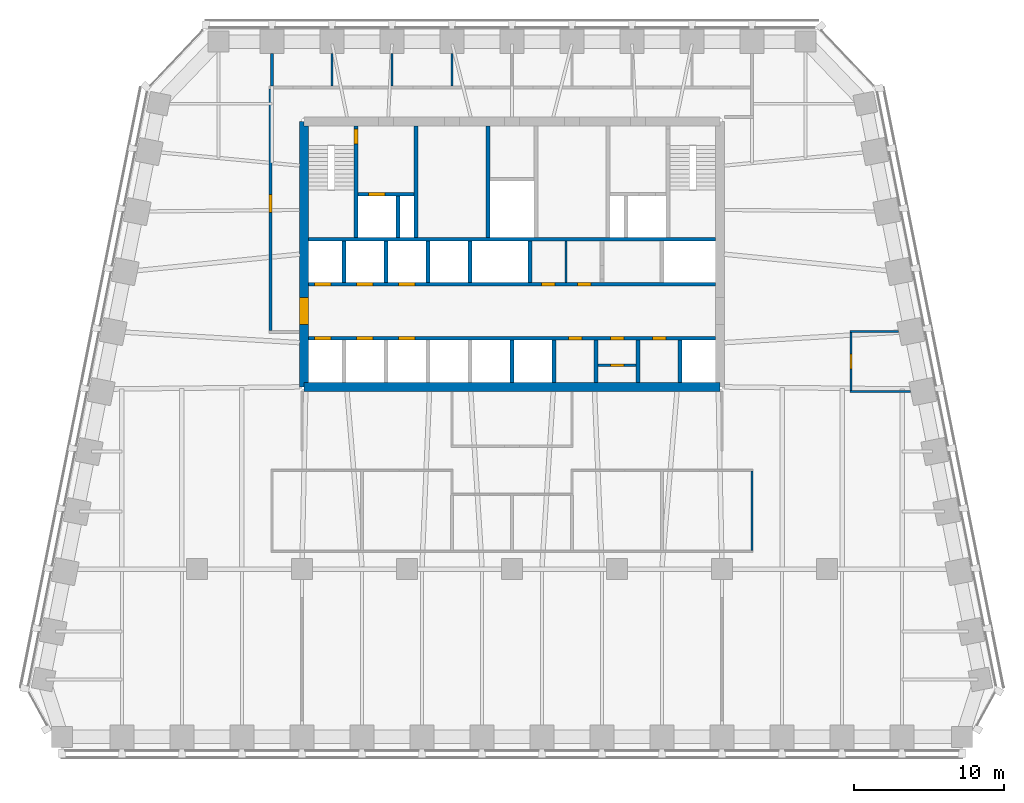
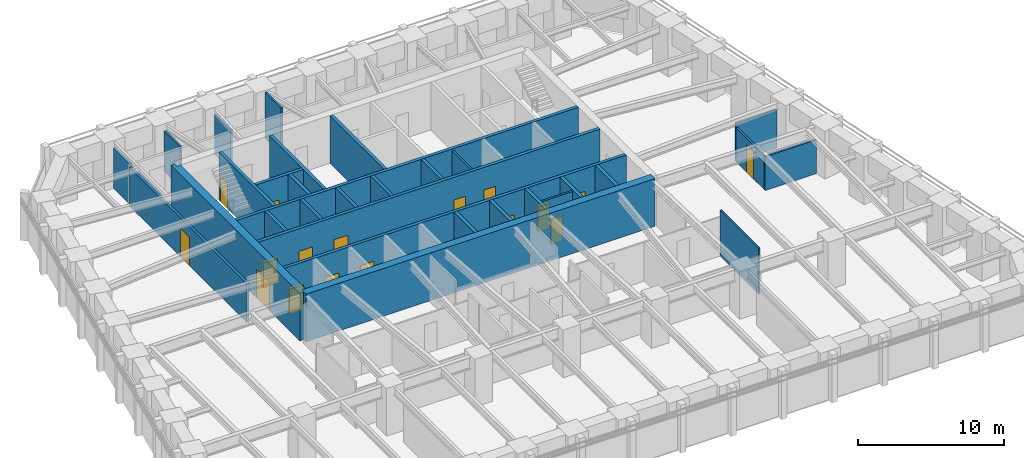
# One storey, part 6 of 10: 31 walls, 17 doors, 17 openings.
"""IFC4 building model written with IfcOpenShell, lengths in metres."""

from ifc_helpers import new_model, si_unit, direction, frame, frame_2d, origin, place, context, subcontext, project, spatial, polyline, rectangle, outline, extrude, material, layer, layer_set, type_object, element, fill, save


model = new_model("IFC4")

# Units and contexts
model_context = context("Model", 3, precision=1e-05, world=origin(), true_north=direction((0.0, 1.0)))
body_context = subcontext(model_context, "Body", "Model", "MODEL_VIEW")
ifc_project = project(units=[si_unit("LENGTHUNIT", "METRE"), si_unit("AREAUNIT", "SQUARE_METRE"), si_unit("VOLUMEUNIT", "CUBIC_METRE"), si_unit("PLANEANGLEUNIT", "RADIAN"), si_unit("MASSUNIT", "GRAM", prefix="KILO")], contexts=[model_context])

# Site, building, storey
site_placement = place(None, origin())
site = spatial("IfcSite", under=ifc_project, at=site_placement, CompositionType="ELEMENT")
building_placement = place(site_placement, origin())
building = spatial("IfcBuilding", under=site, at=building_placement, Name="Isbrekke Arena Tower", CompositionType="ELEMENT")
storey_placement = place(building_placement, frame((0.0, 0.0, 186.0)))
storey = spatial("IfcBuildingStorey", under=building, at=storey_placement, Name="L42", CompositionType="ELEMENT", Elevation=186.0)

# Wall
ifc_material_1 = material(Name="Concrete B55 (C55/67)", Category="concrete")
ifc_layer_1 = layer(ifc_material_1, 0.60009765625)
ifc_layer_set_1 = layer_set([ifc_layer_1], Name="CW4 CORE WALL 600")
wall_type_1 = type_object("IfcWallType", Name="CW4 CORE WALL 600", PredefinedType="SHEAR", material=ifc_layer_set_1)
wall_1_placement = place(storey_placement, frame((-13.85009765625, 6.14990234375, 0.0), z_axis=(0.0, 0.0, 1.0), x_axis=(1.0, 0.0, 0.0)))
element("IfcWall", 1, at=wall_1_placement, inside=storey, type_object=wall_type_1, Name="Core wall S L42", PredefinedType="SHEAR", context=body_context, shape_type="SweptSolid", body=[
    extrude(rectangle(XDim=27.7001953125, YDim=0.60009765625, at=frame_2d((13.85009765625, 0.0))), origin(), (0.0, 0.0, 1.0), 4.0),
])

# Wall, opening, door
wall_2_placement = place(storey_placement, frame((-13.85009765625, 23.85009765625, 0.0), z_axis=(0.0, 0.0, 1.0), x_axis=(0.0, -1.0, 0.0)))
wall_2 = element("IfcWall", 2, at=wall_2_placement, inside=storey, type_object=wall_type_1, Name="Core wall W L42", PredefinedType="SHEAR", context=body_context, shape_type="SweptSolid", body=[
    extrude(outline(polyline([(0.0, -0.300048828125), (17.7001953125, -0.300048828125), (17.7001953125, 0.0), (17.400146484375, 0.0), (17.400146484375, 0.300048828125), (0.300048828125, 0.300048828125), (0.300048828125, 0.0), (0.0, 0.0), (0.0, -0.300048828125)])), origin(), (0.0, 0.0, 1.0), 4.0),
])
opening_1_placement = place(wall_2_placement, frame((11.75, 0.0, 0.0)))
opening_1 = element("IfcOpeningElement", 3, at=opening_1_placement, cuts=wall_2, Name="Opening D1", PredefinedType="OPENING", context=body_context, shape_type="SweptSolid", body=[
    extrude(rectangle(XDim=1.800048828125, YDim=2.39990234375, at=frame_2d((0.89990234375, 1.199951171875))), frame((0.0, 0.31494140625, 0.0), z_axis=(0.0, -1.0, 0.0), x_axis=(1.0, 0.0, 0.0)), (0.0, 0.0, 1.0), 0.6298828125),
])
ifc_material_2 = material(Name="Steel-framed glazed fire door", Category="steel")
door_type_1 = type_object("IfcDoorType", Name="D1 CORE LOBBY DOOR 1800 x 2400", OperationType="DOUBLE_DOOR_SINGLE_SWING", PredefinedType="DOOR", material=ifc_material_2)
door_1_placement = place(opening_1_placement, origin())
door_1 = element("IfcDoor", 4, at=door_1_placement, inside=storey, type_object=door_type_1, Name="D1 lift lobby door west L42", OperationType="DOUBLE_DOOR_SINGLE_SWING", OverallHeight=2.39990234375, OverallWidth=1.800048828125, PredefinedType="DOOR", context=body_context, shape_type="SweptSolid", body=[
    extrude(rectangle(XDim=1.800048828125, YDim=2.39990234375, at=frame_2d((0.89990234375, 1.199951171875))), frame((0.0, 0.2998046875, 0.0), z_axis=(0.0, -1.0, 0.0), x_axis=(1.0, 0.0, 0.0)), (0.0, 0.0, 1.0), 0.599609375),
])
fill(opening_1, door_1)

# Wall, openings, doors
ifc_material_3 = material(Name="Concrete B45 (C45/55)", Category="concrete")
ifc_layer_2 = layer(ifc_material_3, 0.25)
ifc_layer_set_2 = layer_set([ifc_layer_2], Name="CW6 SHAFT WALL 250")
wall_type_2 = type_object("IfcWallType", Name="CW6 SHAFT WALL 250", PredefinedType="SHEAR", material=ifc_layer_set_2)
wall_3_placement = place(storey_placement, frame((-13.550048828125, 9.39990234375, 0.0), z_axis=(0.0, 0.0, 1.0), x_axis=(1.0, 0.0, 0.0)))
wall_3 = element("IfcWall", 5, at=wall_3_placement, inside=storey, type_object=wall_type_2, Name="Core wall LS L42", PredefinedType="SHEAR", context=body_context, shape_type="SweptSolid", body=[
    extrude(rectangle(XDim=27.10009765625, YDim=0.25, at=frame_2d((13.550048828125, 0.0))), origin(), (0.0, 0.0, 1.0), 4.0),
])
opening_2_placement = place(wall_3_placement, frame((0.39990234375, 0.0, 0.0)))
opening_2 = element("IfcOpeningElement", 6, at=opening_2_placement, cuts=wall_3, Name="Opening LD1", PredefinedType="OPENING", context=body_context, shape_type="SweptSolid", body=[
    extrude(rectangle(XDim=1.10009765625, YDim=2.10009765625, at=frame_2d((0.550048828125, 1.050048828125))), frame((0.0, 0.139892578125, 0.0), z_axis=(0.0, -1.0, 0.0), x_axis=(1.0, 0.0, 0.0)), (0.0, 0.0, 1.0), 0.27978515625),
])
opening_3_placement = place(wall_3_placement, frame((3.199951171875, 0.0, 0.0)))
opening_3 = element("IfcOpeningElement", 7, at=opening_3_placement, cuts=wall_3, Name="Opening LD1", PredefinedType="OPENING", context=body_context, shape_type="SweptSolid", body=[
    extrude(rectangle(XDim=1.10009765625, YDim=2.10009765625, at=frame_2d((0.550048828125, 1.050048828125))), frame((0.0, 0.139892578125, 0.0), z_axis=(0.0, -1.0, 0.0), x_axis=(1.0, 0.0, 0.0)), (0.0, 0.0, 1.0), 0.27978515625),
])
opening_4_placement = place(wall_3_placement, frame((6.0, 0.0, 0.0)))
opening_4 = element("IfcOpeningElement", 8, at=opening_4_placement, cuts=wall_3, Name="Opening LD1", PredefinedType="OPENING", context=body_context, shape_type="SweptSolid", body=[
    extrude(rectangle(XDim=1.10009765625, YDim=2.10009765625, at=frame_2d((0.550048828125, 1.050048828125))), frame((0.0, 0.139892578125, 0.0), z_axis=(0.0, -1.0, 0.0), x_axis=(1.0, 0.0, 0.0)), (0.0, 0.0, 1.0), 0.27978515625),
])
opening_5_placement = place(wall_3_placement, frame((17.300048828125, 0.0, 0.0)))
opening_5 = element("IfcOpeningElement", 9, at=opening_5_placement, cuts=wall_3, Name="Opening D5", PredefinedType="OPENING", context=body_context, shape_type="SweptSolid", body=[
    extrude(rectangle(XDim=0.89990234375, YDim=2.10009765625, at=frame_2d((0.449951171875, 1.050048828125))), frame((0.0, 0.139892578125, 0.0), z_axis=(0.0, -1.0, 0.0), x_axis=(1.0, 0.0, 0.0)), (0.0, 0.0, 1.0), 0.27978515625),
])
opening_6_placement = place(wall_3_placement, frame((20.10009765625, 0.0, 0.0)))
opening_6 = element("IfcOpeningElement", 10, at=opening_6_placement, cuts=wall_3, Name="Opening D5", PredefinedType="OPENING", context=body_context, shape_type="SweptSolid", body=[
    extrude(rectangle(XDim=0.89990234375, YDim=2.10009765625, at=frame_2d((0.449951171875, 1.050048828125))), frame((0.0, 0.139892578125, 0.0), z_axis=(0.0, -1.0, 0.0), x_axis=(1.0, 0.0, 0.0)), (0.0, 0.0, 1.0), 0.27978515625),
])
opening_7_placement = place(wall_3_placement, frame((22.89990234375, 0.0, 0.0)))
opening_7 = element("IfcOpeningElement", 11, at=opening_7_placement, cuts=wall_3, Name="Opening D5", PredefinedType="OPENING", context=body_context, shape_type="SweptSolid", body=[
    extrude(rectangle(XDim=0.89990234375, YDim=2.10009765625, at=frame_2d((0.449951171875, 1.050048828125))), frame((0.0, 0.139892578125, 0.0), z_axis=(0.0, -1.0, 0.0), x_axis=(1.0, 0.0, 0.0)), (0.0, 0.0, 1.0), 0.27978515625),
])
ifc_material_4 = material(Name="Steel fire door", Category="steel")
door_type_2 = type_object("IfcDoorType", Name="D5 SERVICE DOOR 900 x 2100", OperationType="SINGLE_SWING_LEFT", PredefinedType="DOOR", material=ifc_material_4)
door_2_placement = place(opening_5_placement, origin())
door_2 = element("IfcDoor", 12, at=door_2_placement, inside=storey, type_object=door_type_2, Name="D5 technical room door L42", OperationType="SINGLE_SWING_LEFT", OverallHeight=2.10009765625, OverallWidth=0.89990234375, PredefinedType="DOOR", context=body_context, shape_type="SweptSolid", body=[
    extrude(rectangle(XDim=0.89990234375, YDim=2.10009765625, at=frame_2d((0.449951171875, 1.050048828125))), frame((0.0, 0.124755859375, 0.0), z_axis=(0.0, -1.0, 0.0), x_axis=(1.0, 0.0, 0.0)), (0.0, 0.0, 1.0), 0.24951171875),
])
fill(opening_5, door_2)
door_3_placement = place(opening_6_placement, origin())
door_3 = element("IfcDoor", 13, at=door_3_placement, inside=storey, type_object=door_type_2, Name="D5 print room door L42", OperationType="SINGLE_SWING_LEFT", OverallHeight=2.10009765625, OverallWidth=0.89990234375, PredefinedType="DOOR", context=body_context, shape_type="SweptSolid", body=[
    extrude(rectangle(XDim=0.89990234375, YDim=2.10009765625, at=frame_2d((0.449951171875, 1.050048828125))), frame((0.0, 0.124755859375, 0.0), z_axis=(0.0, -1.0, 0.0), x_axis=(1.0, 0.0, 0.0)), (0.0, 0.0, 1.0), 0.24951171875),
])
fill(opening_6, door_3)
door_4_placement = place(opening_7_placement, origin())
door_4 = element("IfcDoor", 14, at=door_4_placement, inside=storey, type_object=door_type_2, Name="D5 archive door L42", OperationType="SINGLE_SWING_LEFT", OverallHeight=2.10009765625, OverallWidth=0.89990234375, PredefinedType="DOOR", context=body_context, shape_type="SweptSolid", body=[
    extrude(rectangle(XDim=0.89990234375, YDim=2.10009765625, at=frame_2d((0.449951171875, 1.050048828125))), frame((0.0, 0.124755859375, 0.0), z_axis=(0.0, -1.0, 0.0), x_axis=(1.0, 0.0, 0.0)), (0.0, 0.0, 1.0), 0.24951171875),
])
fill(opening_7, door_4)
ifc_material_5 = material(Name="Stainless steel lift landing door", Category="steel")
door_type_3 = type_object("IfcDoorType", Name="LD1 LIFT LANDING DOOR 1100 x 2100", OperationType="SLIDING_TO_LEFT", PredefinedType="DOOR", material=ifc_material_5)
door_5_placement = place(opening_2_placement, origin())
door_5 = element("IfcDoor", 15, at=door_5_placement, inside=storey, type_object=door_type_3, Name="LD1 lift landing door LC L42", OperationType="SLIDING_TO_LEFT", OverallHeight=2.10009765625, OverallWidth=1.10009765625, PredefinedType="DOOR", context=body_context, shape_type="SweptSolid", body=[
    extrude(rectangle(XDim=1.10009765625, YDim=2.10009765625, at=frame_2d((0.550048828125, 1.050048828125))), frame((0.0, 0.124755859375, 0.0), z_axis=(0.0, -1.0, 0.0), x_axis=(1.0, 0.0, 0.0)), (0.0, 0.0, 1.0), 0.24951171875),
])
fill(opening_2, door_5)
door_6_placement = place(opening_3_placement, origin())
door_6 = element("IfcDoor", 16, at=door_6_placement, inside=storey, type_object=door_type_3, Name="LD1 lift landing door LC L42", OperationType="SLIDING_TO_LEFT", OverallHeight=2.10009765625, OverallWidth=1.10009765625, PredefinedType="DOOR", context=body_context, shape_type="SweptSolid", body=[
    extrude(rectangle(XDim=1.10009765625, YDim=2.10009765625, at=frame_2d((0.550048828125, 1.050048828125))), frame((0.0, 0.124755859375, 0.0), z_axis=(0.0, -1.0, 0.0), x_axis=(1.0, 0.0, 0.0)), (0.0, 0.0, 1.0), 0.24951171875),
])
fill(opening_3, door_6)
door_7_placement = place(opening_4_placement, origin())
door_7 = element("IfcDoor", 17, at=door_7_placement, inside=storey, type_object=door_type_3, Name="LD1 lift landing door LC L42", OperationType="SLIDING_TO_LEFT", OverallHeight=2.10009765625, OverallWidth=1.10009765625, PredefinedType="DOOR", context=body_context, shape_type="SweptSolid", body=[
    extrude(rectangle(XDim=1.10009765625, YDim=2.10009765625, at=frame_2d((0.550048828125, 1.050048828125))), frame((0.0, 0.124755859375, 0.0), z_axis=(0.0, -1.0, 0.0), x_axis=(1.0, 0.0, 0.0)), (0.0, 0.0, 1.0), 0.24951171875),
])
fill(opening_4, door_7)

wall_4_placement = place(storey_placement, frame((-13.550048828125, 13.0, 0.0), z_axis=(0.0, 0.0, 1.0), x_axis=(1.0, 0.0, 0.0)))
wall_4 = element("IfcWall", 18, at=wall_4_placement, inside=storey, type_object=wall_type_2, Name="Core wall LN L42", PredefinedType="SHEAR", context=body_context, shape_type="SweptSolid", body=[
    extrude(rectangle(XDim=27.10009765625, YDim=0.25, at=frame_2d((13.550048828125, 0.0))), origin(), (0.0, 0.0, 1.0), 4.0),
])
opening_8_placement = place(wall_4_placement, frame((0.39990234375, 0.0, 0.0)))
opening_8 = element("IfcOpeningElement", 19, at=opening_8_placement, cuts=wall_4, Name="Opening LD1", PredefinedType="OPENING", context=body_context, shape_type="SweptSolid", body=[
    extrude(rectangle(XDim=1.10009765625, YDim=2.10009765625, at=frame_2d((0.550048828125, 1.050048828125))), frame((0.0, 0.139892578125, 0.0), z_axis=(0.0, -1.0, 0.0), x_axis=(1.0, 0.0, 0.0)), (0.0, 0.0, 1.0), 0.27978515625),
])
opening_9_placement = place(wall_4_placement, frame((3.199951171875, 0.0, 0.0)))
opening_9 = element("IfcOpeningElement", 20, at=opening_9_placement, cuts=wall_4, Name="Opening LD1", PredefinedType="OPENING", context=body_context, shape_type="SweptSolid", body=[
    extrude(rectangle(XDim=1.10009765625, YDim=2.10009765625, at=frame_2d((0.550048828125, 1.050048828125))), frame((0.0, 0.139892578125, 0.0), z_axis=(0.0, -1.0, 0.0), x_axis=(1.0, 0.0, 0.0)), (0.0, 0.0, 1.0), 0.27978515625),
])
opening_10_placement = place(wall_4_placement, frame((6.0, 0.0, 0.0)))
opening_10 = element("IfcOpeningElement", 21, at=opening_10_placement, cuts=wall_4, Name="Opening LD1", PredefinedType="OPENING", context=body_context, shape_type="SweptSolid", body=[
    extrude(rectangle(XDim=1.10009765625, YDim=2.10009765625, at=frame_2d((0.550048828125, 1.050048828125))), frame((0.0, 0.139892578125, 0.0), z_axis=(0.0, -1.0, 0.0), x_axis=(1.0, 0.0, 0.0)), (0.0, 0.0, 1.0), 0.27978515625),
])
opening_11_placement = place(wall_4_placement, frame((15.5, 0.0, 0.0)))
opening_11 = element("IfcOpeningElement", 22, at=opening_11_placement, cuts=wall_4, Name="Opening D5", PredefinedType="OPENING", context=body_context, shape_type="SweptSolid", body=[
    extrude(rectangle(XDim=0.89990234375, YDim=2.10009765625, at=frame_2d((0.449951171875, 1.050048828125))), frame((0.0, 0.139892578125, 0.0), z_axis=(0.0, -1.0, 0.0), x_axis=(1.0, 0.0, 0.0)), (0.0, 0.0, 1.0), 0.27978515625),
])
opening_12_placement = place(wall_4_placement, frame((17.89990234375, 0.0, 0.0)))
opening_12 = element("IfcOpeningElement", 23, at=opening_12_placement, cuts=wall_4, Name="Opening D5", PredefinedType="OPENING", context=body_context, shape_type="SweptSolid", body=[
    extrude(rectangle(XDim=0.89990234375, YDim=2.10009765625, at=frame_2d((0.449951171875, 1.050048828125))), frame((0.0, 0.139892578125, 0.0), z_axis=(0.0, -1.0, 0.0), x_axis=(1.0, 0.0, 0.0)), (0.0, 0.0, 1.0), 0.27978515625),
])
door_8_placement = place(opening_11_placement, origin())
door_8 = element("IfcDoor", 24, at=door_8_placement, inside=storey, type_object=door_type_2, Name="D5 communications room door L42", OperationType="SINGLE_SWING_LEFT", OverallHeight=2.10009765625, OverallWidth=0.89990234375, PredefinedType="DOOR", context=body_context, shape_type="SweptSolid", body=[
    extrude(rectangle(XDim=0.89990234375, YDim=2.10009765625, at=frame_2d((0.449951171875, 1.050048828125))), frame((0.0, 0.124755859375, 0.0), z_axis=(0.0, -1.0, 0.0), x_axis=(1.0, 0.0, 0.0)), (0.0, 0.0, 1.0), 0.24951171875),
])
fill(opening_11, door_8)
door_9_placement = place(opening_12_placement, origin())
door_9 = element("IfcDoor", 25, at=door_9_placement, inside=storey, type_object=door_type_2, Name="D5 cleaner's store door L42", OperationType="SINGLE_SWING_LEFT", OverallHeight=2.10009765625, OverallWidth=0.89990234375, PredefinedType="DOOR", context=body_context, shape_type="SweptSolid", body=[
    extrude(rectangle(XDim=0.89990234375, YDim=2.10009765625, at=frame_2d((0.449951171875, 1.050048828125))), frame((0.0, 0.124755859375, 0.0), z_axis=(0.0, -1.0, 0.0), x_axis=(1.0, 0.0, 0.0)), (0.0, 0.0, 1.0), 0.24951171875),
])
fill(opening_12, door_9)
door_10_placement = place(opening_8_placement, origin())
door_10 = element("IfcDoor", 26, at=door_10_placement, inside=storey, type_object=door_type_3, Name="LD1 lift landing door LC L42", OperationType="SLIDING_TO_LEFT", OverallHeight=2.10009765625, OverallWidth=1.10009765625, PredefinedType="DOOR", context=body_context, shape_type="SweptSolid", body=[
    extrude(rectangle(XDim=1.10009765625, YDim=2.10009765625, at=frame_2d((0.550048828125, 1.050048828125))), frame((0.0, 0.124755859375, 0.0), z_axis=(0.0, -1.0, 0.0), x_axis=(1.0, 0.0, 0.0)), (0.0, 0.0, 1.0), 0.24951171875),
])
fill(opening_8, door_10)
door_11_placement = place(opening_9_placement, origin())
door_11 = element("IfcDoor", 27, at=door_11_placement, inside=storey, type_object=door_type_3, Name="LD1 lift landing door LC L42", OperationType="SLIDING_TO_LEFT", OverallHeight=2.10009765625, OverallWidth=1.10009765625, PredefinedType="DOOR", context=body_context, shape_type="SweptSolid", body=[
    extrude(rectangle(XDim=1.10009765625, YDim=2.10009765625, at=frame_2d((0.550048828125, 1.050048828125))), frame((0.0, 0.124755859375, 0.0), z_axis=(0.0, -1.0, 0.0), x_axis=(1.0, 0.0, 0.0)), (0.0, 0.0, 1.0), 0.24951171875),
])
fill(opening_9, door_11)
door_12_placement = place(opening_10_placement, origin())
door_12 = element("IfcDoor", 28, at=door_12_placement, inside=storey, type_object=door_type_3, Name="LD1 lift landing door LC L42", OperationType="SLIDING_TO_LEFT", OverallHeight=2.10009765625, OverallWidth=1.10009765625, PredefinedType="DOOR", context=body_context, shape_type="SweptSolid", body=[
    extrude(rectangle(XDim=1.10009765625, YDim=2.10009765625, at=frame_2d((0.550048828125, 1.050048828125))), frame((0.0, 0.124755859375, 0.0), z_axis=(0.0, -1.0, 0.0), x_axis=(1.0, 0.0, 0.0)), (0.0, 0.0, 1.0), 0.24951171875),
])
fill(opening_10, door_12)

# Walls
wall_5_placement = place(storey_placement, frame((-13.550048828125, 16.0, 0.0), z_axis=(0.0, 0.0, 1.0), x_axis=(1.0, 0.0, 0.0)))
element("IfcWall", 29, at=wall_5_placement, inside=storey, type_object=wall_type_2, Name="Core wall NB L42", PredefinedType="SHEAR", context=body_context, shape_type="SweptSolid", body=[
    extrude(rectangle(XDim=27.10009765625, YDim=0.25, at=frame_2d((13.550048828125, 0.0))), origin(), (0.0, 0.0, 1.0), 4.0),
])
for number, where, z_axis, x_axis, name in (
    (30, (0.0, 6.449951171875, 0.0), (0.0, 0.0, 1.0), (0.0, 1.0, 0.0), "Core wall SS05 L42"),
    (31, (2.800048828125, 6.449951171875, 0.0), (0.0, 0.0, 1.0), (0.0, 1.0, 0.0), "Core wall SS06 L42"),
    (32, (5.60009765625, 6.449951171875, 0.0), (0.0, 0.0, 1.0), (0.0, 1.0, 0.0), "Core wall SS07 L42"),
    (33, (8.39990234375, 6.449951171875, 0.0), (0.0, 0.0, 1.0), (0.0, 1.0, 0.0), "Core wall SS08 L42"),
    (34, (11.199951171875, 6.449951171875, 0.0), (0.0, 0.0, 1.0), (0.0, 1.0, 0.0), "Core wall SS09 L42"),
):
    element("IfcWall", number, at=place(storey_placement, frame(where, z_axis=z_axis, x_axis=x_axis)), inside=storey, type_object=wall_type_2, Name=name, PredefinedType="SHEAR", context=body_context, shape_type="SweptSolid", body=[
        extrude(rectangle(XDim=2.824951171875, YDim=0.25, at=frame_2d((1.41259765625, 0.0))), origin(), (0.0, 0.0, 1.0), 4.0),
    ])
for number, where, z_axis, x_axis, name in (
    (35, (-11.199951171875, 13.125, 0.0), (0.0, 0.0, 1.0), (0.0, 1.0, 0.0), "Core wall SN01 L42"),
    (36, (-8.39990234375, 13.125, 0.0), (0.0, 0.0, 1.0), (0.0, 1.0, 0.0), "Core wall SN02 L42"),
    (37, (-5.60009765625, 13.125, 0.0), (0.0, 0.0, 1.0), (0.0, 1.0, 0.0), "Core wall SN03 L42"),
    (38, (-2.800048828125, 13.125, 0.0), (0.0, 0.0, 1.0), (0.0, 1.0, 0.0), "Core wall SN04 L42"),
    (39, (1.199951171875, 13.125, 0.0), (0.0, 0.0, 1.0), (0.0, 1.0, 0.0), "Core wall SN05 L42"),
):
    element("IfcWall", number, at=place(storey_placement, frame(where, z_axis=z_axis, x_axis=x_axis)), inside=storey, type_object=wall_type_2, Name=name, PredefinedType="SHEAR", context=body_context, shape_type="SweptSolid", body=[
        extrude(rectangle(XDim=2.75, YDim=0.25, at=frame_2d((1.375, 0.0))), origin(), (0.0, 0.0, 1.0), 4.0),
    ])

# Wall, opening, door
wall_6_placement = place(storey_placement, frame((-10.39990234375, 16.125, 0.0), z_axis=(0.0, 0.0, 1.0), x_axis=(0.0, 1.0, 0.0)))
wall_6 = element("IfcWall", 40, at=wall_6_placement, inside=storey, type_object=wall_type_2, Name="Core wall NV01 L42", PredefinedType="SHEAR", context=body_context, shape_type="SweptSolid", body=[
    extrude(rectangle(XDim=7.425048828125, YDim=0.25, at=frame_2d((3.71240234375, 0.0))), origin(), (0.0, 0.0, 1.0), 4.0),
])
opening_13_placement = place(wall_6_placement, frame((6.22509765625, 0.0, 0.0)))
opening_13 = element("IfcOpeningElement", 41, at=opening_13_placement, cuts=wall_6, Name="Opening D2", PredefinedType="OPENING", context=body_context, shape_type="SweptSolid", body=[
    extrude(rectangle(XDim=1.0, YDim=2.10009765625, at=frame_2d((0.5, 1.050048828125))), frame((0.0, 0.139892578125, 0.0), z_axis=(0.0, -1.0, 0.0), x_axis=(1.0, 0.0, 0.0)), (0.0, 0.0, 1.0), 0.27978515625),
])
ifc_material_6 = material(Name="Steel fire door", Category="steel")
door_type_4 = type_object("IfcDoorType", Name="D2 STAIR DOOR 1000 x 2100", OperationType="SINGLE_SWING_LEFT", PredefinedType="DOOR", material=ifc_material_6)
door_13_placement = place(opening_13_placement, origin())
door_13 = element("IfcDoor", 42, at=door_13_placement, inside=storey, type_object=door_type_4, Name="D2 stair door ST1 L42", OperationType="SINGLE_SWING_LEFT", OverallHeight=2.10009765625, OverallWidth=1.0, PredefinedType="DOOR", context=body_context, shape_type="SweptSolid", body=[
    extrude(rectangle(XDim=1.0, YDim=2.10009765625, at=frame_2d((0.5, 1.050048828125))), frame((0.0, 0.124755859375, 0.0), z_axis=(0.0, -1.0, 0.0), x_axis=(1.0, 0.0, 0.0)), (0.0, 0.0, 1.0), 0.24951171875),
])
fill(opening_13, door_13)

# Walls
for number, where, z_axis, x_axis, name in (
    (43, (-6.39990234375, 16.125, 0.0), (0.0, 0.0, 1.0), (0.0, 1.0, 0.0), "Core wall NV02 L42"),
    (44, (-1.60009765625, 16.125, 0.0), (0.0, 0.0, 1.0), (0.0, 1.0, 0.0), "Core wall NV03 L42"),
):
    element("IfcWall", number, at=place(storey_placement, frame(where, z_axis=z_axis, x_axis=x_axis)), inside=storey, type_object=wall_type_2, Name=name, PredefinedType="SHEAR", context=body_context, shape_type="SweptSolid", body=[
        extrude(rectangle(XDim=7.425048828125, YDim=0.25, at=frame_2d((3.71240234375, 0.0))), origin(), (0.0, 0.0, 1.0), 4.0),
    ])

# Wall, opening, door
wall_7_placement = place(storey_placement, frame((-10.27490234375, 19.0, 0.0), z_axis=(0.0, 0.0, 1.0), x_axis=(1.0, 0.0, 0.0)))
wall_7 = element("IfcWall", 45, at=wall_7_placement, inside=storey, type_object=wall_type_2, Name="Core wall NFW L42", PredefinedType="SHEAR", context=body_context, shape_type="SweptSolid", body=[
    extrude(rectangle(XDim=3.75, YDim=0.25, at=frame_2d((1.875, 0.0))), origin(), (0.0, 0.0, 1.0), 4.0),
])
opening_14_placement = place(wall_7_placement, frame((0.72509765625, 0.0, 0.0)))
opening_14 = element("IfcOpeningElement", 46, at=opening_14_placement, cuts=wall_7, Name="Opening LD2", PredefinedType="OPENING", context=body_context, shape_type="SweptSolid", body=[
    extrude(rectangle(XDim=1.10009765625, YDim=2.10009765625, at=frame_2d((0.550048828125, 1.050048828125))), frame((0.0, 0.139892578125, 0.0), z_axis=(0.0, -1.0, 0.0), x_axis=(1.0, 0.0, 0.0)), (0.0, 0.0, 1.0), 0.27978515625),
])
ifc_material_7 = material(Name="Stainless steel lift landing door", Category="steel")
door_type_5 = type_object("IfcDoorType", Name="LD2 FIRE-FIGHTING LIFT LANDING DOOR 1100 x 2100", OperationType="SLIDING_TO_RIGHT", PredefinedType="DOOR", material=ifc_material_7)
door_14_placement = place(opening_14_placement, origin())
door_14 = element("IfcDoor", 47, at=door_14_placement, inside=storey, type_object=door_type_5, Name="LD2 lift landing door LF L42", OperationType="SLIDING_TO_RIGHT", OverallHeight=2.10009765625, OverallWidth=1.10009765625, PredefinedType="DOOR", context=body_context, shape_type="SweptSolid", body=[
    extrude(rectangle(XDim=1.10009765625, YDim=2.10009765625, at=frame_2d((0.550048828125, 1.050048828125))), frame((0.0, 0.124755859375, 0.0), z_axis=(0.0, -1.0, 0.0), x_axis=(1.0, 0.0, 0.0)), (0.0, 0.0, 1.0), 0.24951171875),
])
fill(opening_14, door_14)

# Walls
wall_8_placement = place(storey_placement, frame((-7.60009765625, 16.125, 0.0), z_axis=(0.0, 0.0, 1.0), x_axis=(0.0, 1.0, 0.0)))
element("IfcWall", 48, at=wall_8_placement, inside=storey, type_object=wall_type_2, Name="Core wall NFS1 L42", PredefinedType="SHEAR", context=body_context, shape_type="SweptSolid", body=[
    extrude(rectangle(XDim=2.75, YDim=0.25, at=frame_2d((1.375, 0.0))), origin(), (0.0, 0.0, 1.0), 4.0),
])
ifc_material_8 = material(Name="Gypsum board partition on steel studs", Category="steel")
ifc_layer_3 = layer(ifc_material_8, 0.14990234375)
ifc_layer_set_3 = layer_set([ifc_layer_3], Name="IW1 PARTITION 150")
wall_type_3 = type_object("IfcWallType", Name="IW1 PARTITION 150", PredefinedType="PARTITIONING", material=ifc_layer_set_3)
wall_9_placement = place(storey_placement, frame((22.52490234375, 5.840087890625, 0.0), z_axis=(0.0, 0.0, 1.0), x_axis=(1.0, 0.0, 0.0)))
element("IfcWall", 49, at=wall_9_placement, inside=storey, type_object=wall_type_3, Name="IW1 partition 150 L42", PredefinedType="PARTITIONING", context=body_context, shape_type="SweptSolid", body=[
    extrude(rectangle(XDim=4.0498046875, YDim=0.14990234375, at=frame_2d((2.02490234375, 0.0))), origin(), (0.0, 0.0, 1.0), 2.842041015625),
])
wall_10_placement = place(storey_placement, frame((22.52490234375, 9.840087890625, 0.0), z_axis=(0.0, 0.0, 1.0), x_axis=(1.0, 0.0, 0.0)))
element("IfcWall", 50, at=wall_10_placement, inside=storey, type_object=wall_type_3, Name="IW1 partition 150 L42", PredefinedType="PARTITIONING", context=body_context, shape_type="SweptSolid", body=[
    extrude(rectangle(XDim=3.25, YDim=0.14990234375, at=frame_2d((1.625, 0.0))), origin(), (0.0, 0.0, 1.0), 3.25),
])
for number, where, z_axis, x_axis, name in (
    (51, (-12.0, 26.199951171875, 0.0), (0.0, 0.0, 1.0), (0.0, 1.0, 0.0), "IW1 partition 150 L42"),
    (52, (-8.0, 26.199951171875, 0.0), (0.0, 0.0, 1.0), (0.0, 1.0, 0.0), "IW1 partition 150 L42"),
):
    element("IfcWall", number, at=place(storey_placement, frame(where, z_axis=z_axis, x_axis=x_axis)), inside=storey, type_object=wall_type_3, Name=name, PredefinedType="PARTITIONING", context=body_context, shape_type="SweptSolid", body=[
        extrude(rectangle(XDim=2.175048828125, YDim=0.14990234375, at=frame_2d((1.08740234375, 0.0))), origin(), (0.0, 0.0, 1.0), 3.39990234375),
    ])
wall_11_placement = place(storey_placement, frame((-4.0, 26.199951171875, 0.0), z_axis=(0.0, 0.0, 1.0), x_axis=(0.0, 1.0, 0.0)))
element("IfcWall", 53, at=wall_11_placement, inside=storey, type_object=wall_type_3, Name="IW1 partition 150 L42", PredefinedType="PARTITIONING", context=body_context, shape_type="SweptSolid", body=[
    extrude(rectangle(XDim=2.175048828125, YDim=0.14990234375, at=frame_2d((1.08740234375, 0.0))), origin(), (0.0, 0.0, 1.0), 3.85009765625),
])

# Wall, opening, door
wall_12_placement = place(storey_placement, frame((22.60009765625, 5.9150390625, 0.0), z_axis=(0.0, 0.0, 1.0), x_axis=(0.0, 1.0, 0.0)))
wall_12 = element("IfcWall", 54, at=wall_12_placement, inside=storey, type_object=wall_type_3, Name="IW1 partition 150 L42", PredefinedType="PARTITIONING", context=body_context, shape_type="SweptSolid", body=[
    extrude(rectangle(XDim=3.849853515625, YDim=0.14990234375, at=frame_2d((1.9248046875, 0.0))), origin(), (0.0, 0.0, 1.0), 2.842041015625),
])
opening_15_placement = place(wall_12_placement, frame((1.425048828125, 0.0, 0.0)))
opening_15 = element("IfcOpeningElement", 55, at=opening_15_placement, cuts=wall_12, Name="Opening D10", PredefinedType="OPENING", context=body_context, shape_type="SweptSolid", body=[
    extrude(rectangle(XDim=1.0, YDim=2.300048828125, at=frame_2d((0.5, 1.14990234375))), frame((0.0, 0.08984375, 0.0), z_axis=(0.0, -1.0, 0.0), x_axis=(1.0, 0.0, 0.0)), (0.0, 0.0, 1.0), 0.1796875),
])
ifc_material_9 = material(Name="Timber door", Category="wood")
door_type_6 = type_object("IfcDoorType", Name="D10 OFFICE DOOR 1000 x 2300", OperationType="SINGLE_SWING_LEFT", PredefinedType="DOOR", material=ifc_material_9)
door_15_placement = place(opening_15_placement, origin())
door_15 = element("IfcDoor", 56, at=door_15_placement, inside=storey, type_object=door_type_6, Name="D10 pantry door L42", OperationType="SINGLE_SWING_LEFT", OverallHeight=2.300048828125, OverallWidth=1.0, PredefinedType="DOOR", context=body_context, shape_type="SweptSolid", body=[
    extrude(rectangle(XDim=1.0, YDim=2.300048828125, at=frame_2d((0.5, 1.14990234375))), frame((0.0, 0.07470703125, 0.0), z_axis=(0.0, -1.0, 0.0), x_axis=(1.0, 0.0, 0.0)), (0.0, 0.0, 1.0), 0.1494140625),
])
fill(opening_15, door_15)

# Wall
ifc_material_10 = material(Name="Frameless glazed partition, laminated acoustic glass", Category="glass")
ifc_layer_4 = layer(ifc_material_10, 0.1201171875)
ifc_layer_set_4 = layer_set([ifc_layer_4], Name="IW2 GLAZED PARTITION 120")
wall_type_4 = type_object("IfcWallType", Name="IW2 GLAZED PARTITION 120", PredefinedType="PARTITIONING", material=ifc_layer_set_4)
wall_13_placement = place(storey_placement, frame((16.0, -4.739990234375, 0.0), z_axis=(0.0, 0.0, 1.0), x_axis=(0.0, 1.0, 0.0)))
element("IfcWall", 57, at=wall_13_placement, inside=storey, type_object=wall_type_4, Name="IW2 glazed partition 120 L42", PredefinedType="PARTITIONING", context=body_context, shape_type="SweptSolid", body=[
    extrude(rectangle(XDim=5.280029296875, YDim=0.1201171875, at=frame_2d((2.64013671875, 0.0))), origin(), (0.0, 0.0, 1.0), 3.85009765625),
])

# Wall, opening, door
ifc_material_11 = material(Name="Gypsum board fire-cell wall on steel studs, two layers each side", Category="steel")
ifc_layer_5 = layer(ifc_material_11, 0.199951171875)
ifc_layer_set_5 = layer_set([ifc_layer_5], Name="IW3 FIRE-CELL WALL 200")
wall_type_5 = type_object("IfcWallType", Name="IW3 FIRE-CELL WALL 200", PredefinedType="PARTITIONING", material=ifc_layer_set_5)
wall_14_placement = place(storey_placement, frame((-16.10009765625, 9.89990234375, 0.0), z_axis=(0.0, 0.0, 1.0), x_axis=(0.0, 1.0, 0.0)))
wall_14 = element("IfcWall", 58, at=wall_14_placement, inside=storey, type_object=wall_type_5, Name="IW3 fire-cell wall 200 L42", PredefinedType="PARTITIONING", context=body_context, shape_type="SweptSolid", body=[
    extrude(rectangle(XDim=16.10009765625, YDim=0.199951171875, at=frame_2d((8.050048828125, 0.0))), origin(), (0.0, 0.0, 1.0), 3.25),
])
opening_16_placement = place(wall_14_placement, frame((7.8798828125, 0.0, 0.0)))
opening_16 = element("IfcOpeningElement", 59, at=opening_16_placement, cuts=wall_14, Name="Opening D12", PredefinedType="OPENING", context=body_context, shape_type="SweptSolid", body=[
    extrude(rectangle(XDim=1.199951171875, YDim=2.39990234375, at=frame_2d((0.60009765625, 1.199951171875))), frame((0.0, 0.11474609375, 0.0), z_axis=(0.0, -1.0, 0.0), x_axis=(1.0, 0.0, 0.0)), (0.0, 0.0, 1.0), 0.229736328125),
])
ifc_material_12 = material(Name="Timber fire door with vision panel", Category="wood")
door_type_7 = type_object("IfcDoorType", Name="D12 SUITE ENTRANCE DOOR 1200 x 2400", OperationType="SINGLE_SWING_LEFT", PredefinedType="DOOR", material=ifc_material_12)
door_16_placement = place(opening_16_placement, origin())
door_16 = element("IfcDoor", 60, at=door_16_placement, inside=storey, type_object=door_type_7, Name="D12 suite entrance A door L42", OperationType="SINGLE_SWING_LEFT", OverallHeight=2.39990234375, OverallWidth=1.199951171875, PredefinedType="DOOR", context=body_context, shape_type="SweptSolid", body=[
    extrude(rectangle(XDim=1.199951171875, YDim=2.39990234375, at=frame_2d((0.60009765625, 1.199951171875))), frame((0.0, 0.099609375, 0.0), z_axis=(0.0, -1.0, 0.0), x_axis=(1.0, 0.0, 0.0)), (0.0, 0.0, 1.0), 0.199462890625),
])
fill(opening_16, door_16)

# Walls
wall_15_placement = place(storey_placement, frame((-16.0, 26.199951171875, 0.0), z_axis=(0.0, 0.0, 1.0), x_axis=(0.0, 1.0, 0.0)))
element("IfcWall", 61, at=wall_15_placement, inside=storey, type_object=wall_type_5, Name="IW3 fire-cell wall 200 L42", PredefinedType="PARTITIONING", context=body_context, shape_type="SweptSolid", body=[
    extrude(rectangle(XDim=2.175048828125, YDim=0.199951171875, at=frame_2d((1.08740234375, 0.0))), origin(), (0.0, 0.0, 1.0), 3.39990234375),
])
ifc_material_13 = material(Name="Gypsum board fire-rated partition on steel studs, two layers each side", Category="steel")
ifc_layer_6 = layer(ifc_material_13, 0.14990234375)
ifc_layer_set_6 = layer_set([ifc_layer_6], Name="IW5 FIRE-RATED PARTITION 150")
wall_type_6 = type_object("IfcWallType", Name="IW5 FIRE-RATED PARTITION 150", PredefinedType="PARTITIONING", material=ifc_layer_set_6)
wall_16_placement = place(storey_placement, frame((3.60009765625, 13.125, 0.0), z_axis=(0.0, 0.0, 1.0), x_axis=(0.0, 1.0, 0.0)))
element("IfcWall", 62, at=wall_16_placement, inside=storey, type_object=wall_type_6, Name="IW5 fire-rated partition L42 core service rooms 1", PredefinedType="PARTITIONING", context=body_context, shape_type="SweptSolid", body=[
    extrude(rectangle(XDim=2.75, YDim=0.14990234375, at=frame_2d((1.375, 0.0))), origin(), (0.0, 0.0, 1.0), 3.85009765625),
])

# Wall, opening, door
wall_17_placement = place(storey_placement, frame((5.72509765625, 7.60009765625, 0.0), z_axis=(0.0, 0.0, 1.0), x_axis=(1.0, 0.0, 0.0)))
wall_17 = element("IfcWall", 63, at=wall_17_placement, inside=storey, type_object=wall_type_6, Name="IW5 fire-rated partition L42 core service rooms 2", PredefinedType="PARTITIONING", context=body_context, shape_type="SweptSolid", body=[
    extrude(rectangle(XDim=2.5498046875, YDim=0.14990234375, at=frame_2d((1.27490234375, 0.0))), origin(), (0.0, 0.0, 1.0), 3.85009765625),
])
opening_17_placement = place(wall_17_placement, frame((0.824951171875, 0.0, 0.0)))
opening_17 = element("IfcOpeningElement", 64, at=opening_17_placement, cuts=wall_17, Name="Opening D5", PredefinedType="OPENING", context=body_context, shape_type="SweptSolid", body=[
    extrude(rectangle(XDim=0.89990234375, YDim=2.10009765625, at=frame_2d((0.449951171875, 1.050048828125))), frame((0.0, 0.08984375, 0.0), z_axis=(0.0, -1.0, 0.0), x_axis=(1.0, 0.0, 0.0)), (0.0, 0.0, 1.0), 0.1796875),
])
door_17_placement = place(opening_17_placement, origin())
door_17 = element("IfcDoor", 65, at=door_17_placement, inside=storey, type_object=door_type_2, Name="D5 store door L42", OperationType="SINGLE_SWING_LEFT", OverallHeight=2.10009765625, OverallWidth=0.89990234375, PredefinedType="DOOR", context=body_context, shape_type="SweptSolid", body=[
    extrude(rectangle(XDim=0.89990234375, YDim=2.10009765625, at=frame_2d((0.449951171875, 1.050048828125))), frame((0.0, 0.07470703125, 0.0), z_axis=(0.0, -1.0, 0.0), x_axis=(1.0, 0.0, 0.0)), (0.0, 0.0, 1.0), 0.1494140625),
])
fill(opening_17, door_17)

save(model, "model.ifc")
